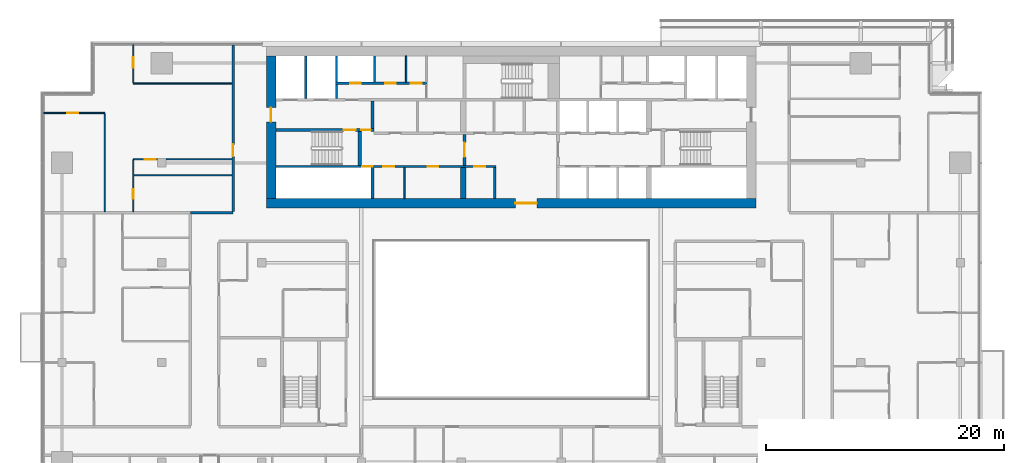
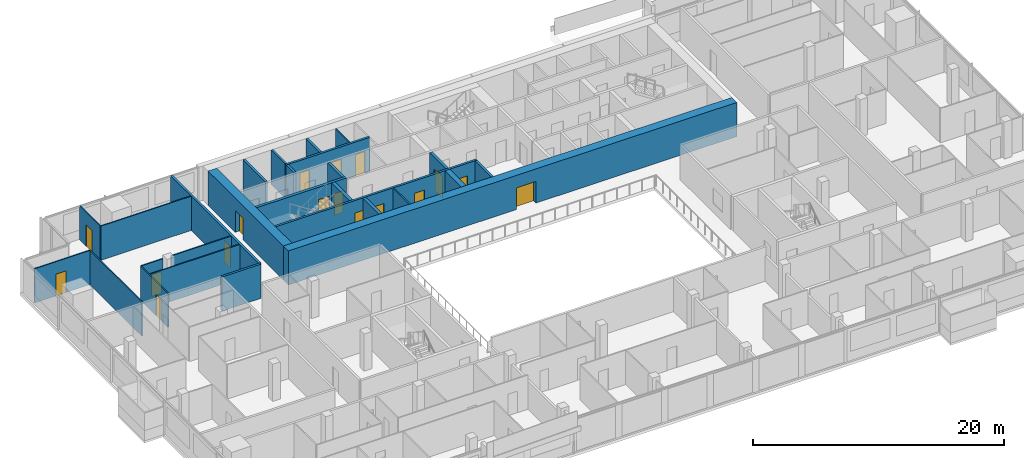
# One storey, part 20 of 30: 27 walls, 17 doors, 17 openings.
"""IFC4 building model written with IfcOpenShell, lengths in metres."""

from ifc_helpers import new_model, si_unit, direction, frame, frame_2d, origin, place, context, subcontext, project, spatial, rectangle, extrude, material, layer, layer_set, type_object, element, fill, save


model = new_model("IFC4")

# Units and contexts
model_context = context("Model", 3, precision=1e-05, world=origin(), true_north=direction((0.0, 1.0)))
body_context = subcontext(model_context, "Body", "Model", "MODEL_VIEW")
ifc_project = project(units=[si_unit("LENGTHUNIT", "METRE"), si_unit("AREAUNIT", "SQUARE_METRE"), si_unit("VOLUMEUNIT", "CUBIC_METRE"), si_unit("PLANEANGLEUNIT", "RADIAN"), si_unit("MASSUNIT", "GRAM", prefix="KILO")], contexts=[model_context])

# Site, building, storey
site_placement = place(None, origin())
site = spatial("IfcSite", under=ifc_project, at=site_placement, CompositionType="ELEMENT")
building_placement = place(site_placement, origin())
building = spatial("IfcBuilding", under=site, at=building_placement, Name="Saffron Gate Tower", CompositionType="ELEMENT")
storey_placement = place(building_placement, frame((0.0, 0.0, 169.050048828125)))
storey = spatial("IfcBuildingStorey", under=building, at=storey_placement, Name="L41", CompositionType="ELEMENT", Elevation=169.050048828125)

# Wall
ifc_material_1 = material(Name="Gypsum board partition on steel studs", Category="steel")
ifc_layer_1 = layer(ifc_material_1, 0.199951171875)
ifc_layer_set_1 = layer_set([ifc_layer_1], Name="CW10 Core partition 200")
wall_type_1 = type_object("IfcWallType", Name="CW10 Core partition 200", PredefinedType="PARTITIONING", material=ifc_layer_set_1)
wall_1_placement = place(storey_placement, frame((86.199951171875, 62.39990234375, 0.0), z_axis=(0.0, 0.0, 1.0), x_axis=(0.0, 1.0, 0.0)))
element("IfcWall", 1, at=wall_1_placement, inside=storey, type_object=wall_type_1, Name="Wall CW10-L41-8", PredefinedType="PARTITIONING", context=body_context, shape_type="SweptSolid", body=[
    extrude(rectangle(XDim=2.60009765625, YDim=0.199951171875, at=frame_2d((1.300048828125, 0.0))), origin(), (0.0, 0.0, 1.0), 3.320068359375),
])

# Wall, opening, door
ifc_material_2 = material(Name="Concrete C60", Category="concrete")
ifc_layer_2 = layer(ifc_material_2, 0.800048828125)
ifc_layer_set_2 = layer_set([ifc_layer_2], Name="CW13 RC core wall 800 C60")
wall_type_2 = type_object("IfcWallType", Name="CW13 RC core wall 800 C60", PredefinedType="SOLIDWALL", material=ifc_layer_set_2)
wall_2_placement = place(storey_placement, frame((67.0, 62.0, 0.0), z_axis=(0.0, 0.0, 1.0), x_axis=(1.0, 0.0, 0.0)))
wall_2 = element("IfcWall", 2, at=wall_2_placement, inside=storey, type_object=wall_type_2, Name="Wall CW13-L41-1", PredefinedType="SOLIDWALL", context=body_context, shape_type="SweptSolid", body=[
    extrude(rectangle(XDim=41.199951171875, YDim=0.800048828125, at=frame_2d((20.60009765625, 0.0))), origin(), (0.0, 0.0, 1.0), 3.320068359375),
])
opening_1_placement = place(wall_2_placement, frame((20.949951171875, 0.0, 0.0)))
opening_1 = element("IfcOpeningElement", 3, at=opening_1_placement, cuts=wall_2, Name="Opening CR-09", PredefinedType="OPENING", context=body_context, shape_type="SweptSolid", body=[
    extrude(rectangle(XDim=1.800048828125, YDim=2.10009765625, at=frame_2d((0.89990234375, 1.050048828125))), frame((0.0, 0.41015625, 0.0), z_axis=(0.0, -1.0, 0.0), x_axis=(1.0, 0.0, 0.0)), (0.0, 0.0, 1.0), 0.820068359375),
])
ifc_material_3 = material(Name="Steel fire door set", Category="steel")
door_type_1 = type_object("IfcDoorType", Name="CD1 Core entrance door 1800x2100 EI 120", OperationType="NOTDEFINED", PredefinedType="DOOR", material=ifc_material_3)
door_1_placement = place(opening_1_placement, origin())
door_1 = element("IfcDoor", 4, at=door_1_placement, inside=storey, type_object=door_type_1, Name="DOOR CR-09", OperationType="DOUBLE_DOOR_SINGLE_SWING", OverallHeight=2.10009765625, OverallWidth=1.800048828125, PredefinedType="DOOR", context=body_context, shape_type="SweptSolid", body=[
    extrude(rectangle(XDim=1.800048828125, YDim=2.10009765625, at=frame_2d((0.89990234375, 1.050048828125))), frame((0.0, 0.02490234375, 0.0), z_axis=(0.0, -1.0, 0.0), x_axis=(1.0, 0.0, 0.0)), (0.0, 0.0, 1.0), 0.050048828125),
])
fill(opening_1, door_1)

wall_3_placement = place(storey_placement, frame((67.39990234375, 62.39990234375, 0.0), z_axis=(0.0, 0.0, 1.0), x_axis=(0.0, 1.0, 0.0)))
wall_3 = element("IfcWall", 5, at=wall_3_placement, inside=storey, type_object=wall_type_2, Name="Wall CW13-L41-3", PredefinedType="SOLIDWALL", context=body_context, shape_type="SweptSolid", body=[
    extrude(rectangle(XDim=12.0, YDim=0.800048828125, at=frame_2d((6.0, 0.0))), origin(), (0.0, 0.0, 1.0), 3.320068359375),
])
opening_2_placement = place(wall_3_placement, frame((6.449951171875, 0.0, 0.0)))
opening_2 = element("IfcOpeningElement", 6, at=opening_2_placement, cuts=wall_3, Name="Opening CR-10", PredefinedType="OPENING", context=body_context, shape_type="SweptSolid", body=[
    extrude(rectangle(XDim=1.199951171875, YDim=2.10009765625, at=frame_2d((0.60009765625, 1.050048828125))), frame((0.0, 0.41015625, 0.0), z_axis=(0.0, -1.0, 0.0), x_axis=(1.0, 0.0, 0.0)), (0.0, 0.0, 1.0), 0.820068359375),
])
door_type_2 = type_object("IfcDoorType", Name="CD7 Core entrance door 1200x2100 EI 120", OperationType="NOTDEFINED", PredefinedType="DOOR", material=ifc_material_3)
door_2_placement = place(opening_2_placement, origin())
door_2 = element("IfcDoor", 7, at=door_2_placement, inside=storey, type_object=door_type_2, Name="DOOR CR-10", OperationType="SINGLE_SWING_LEFT", OverallHeight=2.10009765625, OverallWidth=1.199951171875, PredefinedType="DOOR", context=body_context, shape_type="SweptSolid", body=[
    extrude(rectangle(XDim=1.199951171875, YDim=2.10009765625, at=frame_2d((0.60009765625, 1.050048828125))), frame((0.0, 0.02490234375, 0.0), z_axis=(0.0, -1.0, 0.0), x_axis=(1.0, 0.0, 0.0)), (0.0, 0.0, 1.0), 0.050048828125),
])
fill(opening_2, door_2)

# Wall
ifc_layer_3 = layer(ifc_material_2, 0.25)
ifc_layer_set_3 = layer_set([ifc_layer_3], Name="CW14 RC core wall 250 C60")
wall_type_3 = type_object("IfcWallType", Name="CW14 RC core wall 250 C60", PredefinedType="SOLIDWALL", material=ifc_layer_set_3)
wall_4_placement = place(storey_placement, frame((75.925048828125, 62.39990234375, 0.0), z_axis=(0.0, 0.0, 1.0), x_axis=(0.0, 1.0, 0.0)))
element("IfcWall", 8, at=wall_4_placement, inside=storey, type_object=wall_type_3, Name="Wall CW14-L41-5", PredefinedType="SOLIDWALL", context=body_context, shape_type="SweptSolid", body=[
    extrude(rectangle(XDim=2.60009765625, YDim=0.25, at=frame_2d((1.300048828125, 0.0))), origin(), (0.0, 0.0, 1.0), 3.320068359375),
])

# Wall, opening, door
wall_5_placement = place(storey_placement, frame((83.675048828125, 65.199951171875, 0.0), z_axis=(0.0, 0.0, 1.0), x_axis=(0.0, 1.0, 0.0)))
wall_5 = element("IfcWall", 9, at=wall_5_placement, inside=storey, type_object=wall_type_3, Name="Wall CW14-L41-16", PredefinedType="SOLIDWALL", context=body_context, shape_type="SweptSolid", body=[
    extrude(rectangle(XDim=2.60009765625, YDim=0.25, at=frame_2d((1.300048828125, 0.0))), origin(), (0.0, 0.0, 1.0), 3.320068359375),
])
opening_3_placement = place(wall_5_placement, frame((0.699951171875, 0.0, 0.0)))
opening_3 = element("IfcOpeningElement", 10, at=opening_3_placement, cuts=wall_5, Name="Opening CR-07", PredefinedType="OPENING", context=body_context, shape_type="SweptSolid", body=[
    extrude(rectangle(XDim=1.199951171875, YDim=2.10009765625, at=frame_2d((0.60009765625, 1.050048828125))), frame((0.0, 0.135009765625, 0.0), z_axis=(0.0, -1.0, 0.0), x_axis=(1.0, 0.0, 0.0)), (0.0, 0.0, 1.0), 0.27001953125),
])
door_type_3 = type_object("IfcDoorType", Name="CD3 Lobby door 1200x2100 EI 120", OperationType="NOTDEFINED", PredefinedType="DOOR", material=ifc_material_3)
door_3_placement = place(opening_3_placement, origin())
door_3 = element("IfcDoor", 11, at=door_3_placement, inside=storey, type_object=door_type_3, Name="DOOR CR-07", OperationType="SINGLE_SWING_RIGHT", OverallHeight=2.10009765625, OverallWidth=1.199951171875, PredefinedType="DOOR", context=body_context, shape_type="SweptSolid", body=[
    extrude(rectangle(XDim=1.199951171875, YDim=2.10009765625, at=frame_2d((0.60009765625, 1.050048828125))), frame((0.0, 0.02490234375, 0.0), z_axis=(0.0, -1.0, 0.0), x_axis=(1.0, 0.0, 0.0)), (0.0, 0.0, 1.0), 0.050048828125),
])
fill(opening_3, door_3)

# Wall, openings, doors
wall_6_placement = place(storey_placement, frame((67.800048828125, 68.175048828125, 0.0), z_axis=(0.0, 0.0, 1.0), x_axis=(1.0, 0.0, 0.0)))
wall_6 = element("IfcWall", 12, at=wall_6_placement, inside=storey, type_object=wall_type_3, Name="Wall CW14-L41-28", PredefinedType="SOLIDWALL", context=body_context, shape_type="SweptSolid", body=[
    extrude(rectangle(XDim=8.25, YDim=0.25, at=frame_2d((4.125, 0.0))), origin(), (0.0, 0.0, 1.0), 3.320068359375),
])
opening_4_placement = place(wall_6_placement, frame((5.699951171875, 0.0, 0.0)))
opening_4 = element("IfcOpeningElement", 13, at=opening_4_placement, cuts=wall_6, Name="Opening CR-15", PredefinedType="OPENING", context=body_context, shape_type="SweptSolid", body=[
    extrude(rectangle(XDim=1.0, YDim=2.10009765625, at=frame_2d((0.5, 1.050048828125))), frame((0.0, 0.135009765625, 0.0), z_axis=(0.0, -1.0, 0.0), x_axis=(1.0, 0.0, 0.0)), (0.0, 0.0, 1.0), 0.27001953125),
])
opening_5_placement = place(wall_6_placement, frame((7.199951171875, 0.0, 0.0)))
opening_5 = element("IfcOpeningElement", 14, at=opening_5_placement, cuts=wall_6, Name="Opening CR-06", PredefinedType="OPENING", context=body_context, shape_type="SweptSolid", body=[
    extrude(rectangle(XDim=0.800048828125, YDim=2.10009765625, at=frame_2d((0.39990234375, 1.050048828125))), frame((0.0, 0.135009765625, 0.0), z_axis=(0.0, -1.0, 0.0), x_axis=(1.0, 0.0, 0.0)), (0.0, 0.0, 1.0), 0.27001953125),
])
door_type_4 = type_object("IfcDoorType", Name="CD5 Stair door 1000x2100 EI 120", OperationType="NOTDEFINED", PredefinedType="DOOR", material=ifc_material_3)
door_4_placement = place(opening_4_placement, origin())
door_4 = element("IfcDoor", 15, at=door_4_placement, inside=storey, type_object=door_type_4, Name="DOOR CR-15", OperationType="SINGLE_SWING_RIGHT", OverallHeight=2.10009765625, OverallWidth=1.0, PredefinedType="DOOR", context=body_context, shape_type="SweptSolid", body=[
    extrude(rectangle(XDim=1.0, YDim=2.10009765625, at=frame_2d((0.5, 1.050048828125))), frame((0.0, 0.02490234375, 0.0), z_axis=(0.0, -1.0, 0.0), x_axis=(1.0, 0.0, 0.0)), (0.0, 0.0, 1.0), 0.050048828125),
])
fill(opening_4, door_4)
door_type_5 = type_object("IfcDoorType", Name="CD6 Lobby door 800x2100 EI 120", OperationType="NOTDEFINED", PredefinedType="DOOR", material=ifc_material_3)
door_5_placement = place(opening_5_placement, origin())
door_5 = element("IfcDoor", 16, at=door_5_placement, inside=storey, type_object=door_type_5, Name="DOOR CR-06", OperationType="SINGLE_SWING_LEFT", OverallHeight=2.10009765625, OverallWidth=0.800048828125, PredefinedType="DOOR", context=body_context, shape_type="SweptSolid", body=[
    extrude(rectangle(XDim=0.800048828125, YDim=2.10009765625, at=frame_2d((0.39990234375, 1.050048828125))), frame((0.0, 0.02490234375, 0.0), z_axis=(0.0, -1.0, 0.0), x_axis=(1.0, 0.0, 0.0)), (0.0, 0.0, 1.0), 0.050048828125),
])
fill(opening_5, door_5)

# Wall
wall_7_placement = place(storey_placement, frame((75.925048828125, 68.300048828125, 0.0), z_axis=(0.0, 0.0, 1.0), x_axis=(0.0, 1.0, 0.0)))
element("IfcWall", 17, at=wall_7_placement, inside=storey, type_object=wall_type_3, Name="Wall CW14-L41-30", PredefinedType="SOLIDWALL", context=body_context, shape_type="SweptSolid", body=[
    extrude(rectangle(XDim=2.300048828125, YDim=0.25, at=frame_2d((1.14990234375, 0.0))), origin(), (0.0, 0.0, 1.0), 3.320068359375),
])

# Wall, openings, doors
ifc_layer_4 = layer(ifc_material_2, 0.199951171875)
ifc_layer_set_4 = layer_set([ifc_layer_4], Name="CW15 RC core wall 200 C60")
wall_type_4 = type_object("IfcWallType", Name="CW15 RC core wall 200 C60", PredefinedType="SOLIDWALL", material=ifc_layer_set_4)
wall_8_placement = place(storey_placement, frame((67.800048828125, 65.10009765625, 0.0), z_axis=(0.0, 0.0, 1.0), x_axis=(1.0, 0.0, 0.0)))
wall_8 = element("IfcWall", 18, at=wall_8_placement, inside=storey, type_object=wall_type_4, Name="Wall CW15-L41-13", PredefinedType="SOLIDWALL", context=body_context, shape_type="SweptSolid", body=[
    extrude(rectangle(XDim=18.5, YDim=0.199951171875, at=frame_2d((9.25, 0.0))), origin(), (0.0, 0.0, 1.0), 3.320068359375),
])
opening_6_placement = place(wall_8_placement, frame((7.27001953125, 0.0, 0.0)))
opening_6 = element("IfcOpeningElement", 19, at=opening_6_placement, cuts=wall_8, Name="Opening CR-49", PredefinedType="OPENING", context=body_context, shape_type="SweptSolid", body=[
    extrude(rectangle(XDim=0.89990234375, YDim=2.10009765625, at=frame_2d((0.449951171875, 1.050048828125))), frame((0.0, 0.10986328125, 0.0), z_axis=(0.0, -1.0, 0.0), x_axis=(1.0, 0.0, 0.0)), (0.0, 0.0, 1.0), 0.219970703125),
])
opening_7_placement = place(wall_8_placement, frame((9.050048828125, 0.0, 0.0)))
opening_7 = element("IfcOpeningElement", 20, at=opening_7_placement, cuts=wall_8, Name="Opening CR-64", PredefinedType="OPENING", context=body_context, shape_type="SweptSolid", body=[
    extrude(rectangle(XDim=0.89990234375, YDim=2.10009765625, at=frame_2d((0.449951171875, 1.050048828125))), frame((0.0, 0.10986328125, 0.0), z_axis=(0.0, -1.0, 0.0), x_axis=(1.0, 0.0, 0.0)), (0.0, 0.0, 1.0), 0.219970703125),
])
opening_8_placement = place(wall_8_placement, frame((12.760009765625, 0.0, 0.0)))
opening_8 = element("IfcOpeningElement", 21, at=opening_8_placement, cuts=wall_8, Name="Opening CR-65", PredefinedType="OPENING", context=body_context, shape_type="SweptSolid", body=[
    extrude(rectangle(XDim=0.89990234375, YDim=2.10009765625, at=frame_2d((0.449951171875, 1.050048828125))), frame((0.0, 0.10986328125, 0.0), z_axis=(0.0, -1.0, 0.0), x_axis=(1.0, 0.0, 0.0)), (0.0, 0.0, 1.0), 0.219970703125),
])
opening_9_placement = place(wall_8_placement, frame((16.699951171875, 0.0, 0.0)))
opening_9 = element("IfcOpeningElement", 22, at=opening_9_placement, cuts=wall_8, Name="Opening CR-69", PredefinedType="OPENING", context=body_context, shape_type="SweptSolid", body=[
    extrude(rectangle(XDim=0.89990234375, YDim=2.10009765625, at=frame_2d((0.449951171875, 1.050048828125))), frame((0.0, 0.10986328125, 0.0), z_axis=(0.0, -1.0, 0.0), x_axis=(1.0, 0.0, 0.0)), (0.0, 0.0, 1.0), 0.219970703125),
])
door_type_6 = type_object("IfcDoorType", Name="CD2 Riser door 900x2100 EI 60", OperationType="NOTDEFINED", PredefinedType="DOOR", material=ifc_material_3)
door_6_placement = place(opening_6_placement, origin())
door_6 = element("IfcDoor", 23, at=door_6_placement, inside=storey, type_object=door_type_6, Name="DOOR CR-49", OperationType="SINGLE_SWING_LEFT", OverallHeight=2.10009765625, OverallWidth=0.89990234375, PredefinedType="DOOR", context=body_context, shape_type="SweptSolid", body=[
    extrude(rectangle(XDim=0.89990234375, YDim=2.10009765625, at=frame_2d((0.449951171875, 1.050048828125))), frame((0.0, 0.02490234375, 0.0), z_axis=(0.0, -1.0, 0.0), x_axis=(1.0, 0.0, 0.0)), (0.0, 0.0, 1.0), 0.050048828125),
])
fill(opening_6, door_6)
door_type_7 = type_object("IfcDoorType", Name="CD9 Room door 900x2100 EI 60", OperationType="NOTDEFINED", PredefinedType="DOOR", material=ifc_material_3)
door_7_placement = place(opening_7_placement, origin())
door_7 = element("IfcDoor", 24, at=door_7_placement, inside=storey, type_object=door_type_7, Name="DOOR CR-64", OperationType="SINGLE_SWING_RIGHT", OverallHeight=2.10009765625, OverallWidth=0.89990234375, PredefinedType="DOOR", context=body_context, shape_type="SweptSolid", body=[
    extrude(rectangle(XDim=0.89990234375, YDim=2.10009765625, at=frame_2d((0.449951171875, 1.050048828125))), frame((0.0, 0.02490234375, 0.0), z_axis=(0.0, -1.0, 0.0), x_axis=(1.0, 0.0, 0.0)), (0.0, 0.0, 1.0), 0.050048828125),
])
fill(opening_7, door_7)
door_8_placement = place(opening_8_placement, origin())
door_8 = element("IfcDoor", 25, at=door_8_placement, inside=storey, type_object=door_type_7, Name="DOOR CR-65", OperationType="SINGLE_SWING_RIGHT", OverallHeight=2.10009765625, OverallWidth=0.89990234375, PredefinedType="DOOR", context=body_context, shape_type="SweptSolid", body=[
    extrude(rectangle(XDim=0.89990234375, YDim=2.10009765625, at=frame_2d((0.449951171875, 1.050048828125))), frame((0.0, 0.02490234375, 0.0), z_axis=(0.0, -1.0, 0.0), x_axis=(1.0, 0.0, 0.0)), (0.0, 0.0, 1.0), 0.050048828125),
])
fill(opening_8, door_8)
door_9_placement = place(opening_9_placement, origin())
door_9 = element("IfcDoor", 26, at=door_9_placement, inside=storey, type_object=door_type_7, Name="DOOR CR-69", OperationType="SINGLE_SWING_RIGHT", OverallHeight=2.10009765625, OverallWidth=0.89990234375, PredefinedType="DOOR", context=body_context, shape_type="SweptSolid", body=[
    extrude(rectangle(XDim=0.89990234375, YDim=2.10009765625, at=frame_2d((0.449951171875, 1.050048828125))), frame((0.0, 0.02490234375, 0.0), z_axis=(0.0, -1.0, 0.0), x_axis=(1.0, 0.0, 0.0)), (0.0, 0.0, 1.0), 0.050048828125),
])
fill(opening_9, door_9)

# Walls
wall_9_placement = place(storey_placement, frame((70.300048828125, 70.800048828125, 0.0), z_axis=(0.0, 0.0, 1.0), x_axis=(0.0, 1.0, 0.0)))
element("IfcWall", 27, at=wall_9_placement, inside=storey, type_object=wall_type_4, Name="Wall CW15-L41-33", PredefinedType="SOLIDWALL", context=body_context, shape_type="SweptSolid", body=[
    extrude(rectangle(XDim=3.599853515625, YDim=0.199951171875, at=frame_2d((1.7998046875, 0.0))), origin(), (0.0, 0.0, 1.0), 3.320068359375),
])
wall_10_placement = place(storey_placement, frame((72.89990234375, 70.800048828125, 0.0), z_axis=(0.0, 0.0, 1.0), x_axis=(0.0, 1.0, 0.0)))
element("IfcWall", 28, at=wall_10_placement, inside=storey, type_object=wall_type_4, Name="Wall CW15-L41-34", PredefinedType="SOLIDWALL", context=body_context, shape_type="SweptSolid", body=[
    extrude(rectangle(XDim=1.199951171875, YDim=0.199951171875, at=frame_2d((0.60009765625, 0.0))), origin(), (0.0, 0.0, 1.0), 3.320068359375),
])

# Wall, openings, doors
wall_11_placement = place(storey_placement, frame((72.800048828125, 72.10009765625, 0.0), z_axis=(0.0, 0.0, 1.0), x_axis=(1.0, 0.0, 0.0)))
wall_11 = element("IfcWall", 29, at=wall_11_placement, inside=storey, type_object=wall_type_4, Name="Wall CW15-L41-41", PredefinedType="SOLIDWALL", context=body_context, shape_type="SweptSolid", body=[
    extrude(rectangle(XDim=7.719970703125, YDim=0.199951171875, at=frame_2d((3.85986328125, 0.0))), origin(), (0.0, 0.0, 1.0), 3.320068359375),
])
opening_10_placement = place(wall_11_placement, frame((1.25, 0.0, 0.0)))
opening_10 = element("IfcOpeningElement", 30, at=opening_10_placement, cuts=wall_11, Name="Opening CR-71", PredefinedType="OPENING", context=body_context, shape_type="SweptSolid", body=[
    extrude(rectangle(XDim=0.89990234375, YDim=2.10009765625, at=frame_2d((0.449951171875, 1.050048828125))), frame((0.0, 0.10986328125, 0.0), z_axis=(0.0, -1.0, 0.0), x_axis=(1.0, 0.0, 0.0)), (0.0, 0.0, 1.0), 0.219970703125),
])
opening_11_placement = place(wall_11_placement, frame((4.199951171875, 0.0, 0.0)))
opening_11 = element("IfcOpeningElement", 31, at=opening_11_placement, cuts=wall_11, Name="Opening CR-55", PredefinedType="OPENING", context=body_context, shape_type="SweptSolid", body=[
    extrude(rectangle(XDim=0.89990234375, YDim=2.10009765625, at=frame_2d((0.449951171875, 1.050048828125))), frame((0.0, 0.10986328125, 0.0), z_axis=(0.0, -1.0, 0.0), x_axis=(1.0, 0.0, 0.0)), (0.0, 0.0, 1.0), 0.219970703125),
])
opening_12_placement = place(wall_11_placement, frame((6.360107421875, 0.0, 0.0)))
opening_12 = element("IfcOpeningElement", 32, at=opening_12_placement, cuts=wall_11, Name="Opening CR-58", PredefinedType="OPENING", context=body_context, shape_type="SweptSolid", body=[
    extrude(rectangle(XDim=0.89990234375, YDim=2.10009765625, at=frame_2d((0.449951171875, 1.050048828125))), frame((0.0, 0.10986328125, 0.0), z_axis=(0.0, -1.0, 0.0), x_axis=(1.0, 0.0, 0.0)), (0.0, 0.0, 1.0), 0.219970703125),
])
door_10_placement = place(opening_10_placement, origin())
door_10 = element("IfcDoor", 33, at=door_10_placement, inside=storey, type_object=door_type_6, Name="DOOR CR-71", OperationType="SINGLE_SWING_LEFT", OverallHeight=2.10009765625, OverallWidth=0.89990234375, PredefinedType="DOOR", context=body_context, shape_type="SweptSolid", body=[
    extrude(rectangle(XDim=0.89990234375, YDim=2.10009765625, at=frame_2d((0.449951171875, 1.050048828125))), frame((0.0, 0.02490234375, 0.0), z_axis=(0.0, -1.0, 0.0), x_axis=(1.0, 0.0, 0.0)), (0.0, 0.0, 1.0), 0.050048828125),
])
fill(opening_10, door_10)
door_11_placement = place(opening_11_placement, origin())
door_11 = element("IfcDoor", 34, at=door_11_placement, inside=storey, type_object=door_type_7, Name="DOOR CR-55", OperationType="SINGLE_SWING_LEFT", OverallHeight=2.10009765625, OverallWidth=0.89990234375, PredefinedType="DOOR", context=body_context, shape_type="SweptSolid", body=[
    extrude(rectangle(XDim=0.89990234375, YDim=2.10009765625, at=frame_2d((0.449951171875, 1.050048828125))), frame((0.0, 0.02490234375, 0.0), z_axis=(0.0, -1.0, 0.0), x_axis=(1.0, 0.0, 0.0)), (0.0, 0.0, 1.0), 0.050048828125),
])
fill(opening_11, door_11)
door_12_placement = place(opening_12_placement, origin())
door_12 = element("IfcDoor", 35, at=door_12_placement, inside=storey, type_object=door_type_7, Name="DOOR CR-58", OperationType="SINGLE_SWING_LEFT", OverallHeight=2.10009765625, OverallWidth=0.89990234375, PredefinedType="DOOR", context=body_context, shape_type="SweptSolid", body=[
    extrude(rectangle(XDim=0.89990234375, YDim=2.10009765625, at=frame_2d((0.449951171875, 1.050048828125))), frame((0.0, 0.02490234375, 0.0), z_axis=(0.0, -1.0, 0.0), x_axis=(1.0, 0.0, 0.0)), (0.0, 0.0, 1.0), 0.050048828125),
])
fill(opening_12, door_12)

# Walls
for number, where, z_axis, x_axis, name in (
    (36, (72.89990234375, 72.199951171875, 0.0), (0.0, 0.0, 1.0), (0.0, 1.0, 0.0), "Wall CW15-L41-43"),
    (37, (76.10009765625, 72.199951171875, 0.0), (0.0, 0.0, 1.0), (0.0, 1.0, 0.0), "Wall CW15-L41-44"),
):
    element("IfcWall", number, at=place(storey_placement, frame(where, z_axis=z_axis, x_axis=x_axis)), inside=storey, type_object=wall_type_4, Name=name, PredefinedType="SOLIDWALL", context=body_context, shape_type="SweptSolid", body=[
        extrude(rectangle(XDim=2.199951171875, YDim=0.199951171875, at=frame_2d((1.10009765625, 0.0))), origin(), (0.0, 0.0, 1.0), 3.320068359375),
    ])
ifc_layer_5 = layer(ifc_material_2, 0.449951171875)
ifc_layer_set_5 = layer_set([ifc_layer_5], Name="CW16 RC core wall 450 C60")
wall_type_5 = type_object("IfcWallType", Name="CW16 RC core wall 450 C60", PredefinedType="SOLIDWALL", material=ifc_layer_set_5)
wall_12_placement = place(storey_placement, frame((83.574951171875, 62.39990234375, 0.0), z_axis=(0.0, 0.0, 1.0), x_axis=(0.0, 1.0, 0.0)))
element("IfcWall", 38, at=wall_12_placement, inside=storey, type_object=wall_type_5, Name="Wall CW16-L41-7", PredefinedType="SOLIDWALL", context=body_context, shape_type="SweptSolid", body=[
    extrude(rectangle(XDim=2.60009765625, YDim=0.449951171875, at=frame_2d((1.300048828125, 0.0))), origin(), (0.0, 0.0, 1.0), 3.320068359375),
])
ifc_layer_6 = layer(ifc_material_2, 0.300048828125)
ifc_layer_set_6 = layer_set([ifc_layer_6], Name="CW17 RC core wall 300 C60")
wall_type_6 = type_object("IfcWallType", Name="CW17 RC core wall 300 C60", PredefinedType="SOLIDWALL", material=ifc_layer_set_6)
wall_13_placement = place(storey_placement, frame((74.85009765625, 65.199951171875, 0.0), z_axis=(0.0, 0.0, 1.0), x_axis=(0.0, 1.0, 0.0)))
element("IfcWall", 39, at=wall_13_placement, inside=storey, type_object=wall_type_6, Name="Wall CW17-L41-15", PredefinedType="SOLIDWALL", context=body_context, shape_type="SweptSolid", body=[
    extrude(rectangle(XDim=2.85009765625, YDim=0.300048828125, at=frame_2d((1.425048828125, 0.0))), origin(), (0.0, 0.0, 1.0), 3.320068359375),
])
ifc_layer_7 = layer(ifc_material_1, 0.1201171875)
ifc_layer_set_7 = layer_set([ifc_layer_7], Name="CW8 Core partition 120")
wall_type_7 = type_object("IfcWallType", Name="CW8 Core partition 120", PredefinedType="PARTITIONING", material=ifc_layer_set_7)
wall_14_placement = place(storey_placement, frame((78.610107421875, 62.39990234375, 0.0), z_axis=(0.0, 0.0, 1.0), x_axis=(0.0, 1.0, 0.0)))
element("IfcWall", 40, at=wall_14_placement, inside=storey, type_object=wall_type_7, Name="Wall CW8-L41-6", PredefinedType="PARTITIONING", context=body_context, shape_type="SweptSolid", body=[
    extrude(rectangle(XDim=2.60009765625, YDim=0.1201171875, at=frame_2d((1.300048828125, 0.0))), origin(), (0.0, 0.0, 1.0), 3.320068359375),
])
wall_15_placement = place(storey_placement, frame((78.760009765625, 72.199951171875, 0.0), z_axis=(0.0, 0.0, 1.0), x_axis=(0.0, 1.0, 0.0)))
element("IfcWall", 41, at=wall_15_placement, inside=storey, type_object=wall_type_7, Name="Wall CW8-L41-45", PredefinedType="PARTITIONING", context=body_context, shape_type="SweptSolid", body=[
    extrude(rectangle(XDim=2.199951171875, YDim=0.1201171875, at=frame_2d((1.10009765625, 0.0))), origin(), (0.0, 0.0, 1.0), 3.320068359375),
])
ifc_material_4 = material(Name="Plasterboard on steel studs", Category="steel")
ifc_layer_8 = layer(ifc_material_4, 0.10009765625)
ifc_layer_set_8 = layer_set([ifc_layer_8], Name="PW1 Partition 100")
wall_type_8 = type_object("IfcWallType", Name="PW1 Partition 100", PredefinedType="PARTITIONING", material=ifc_layer_set_8)
wall_16_placement = place(storey_placement, frame((55.85009765625, 64.354736328125, 0.0), z_axis=(0.0, 0.0, 1.0), x_axis=(1.0, 0.0, 0.0)))
element("IfcWall", 42, at=wall_16_placement, inside=storey, type_object=wall_type_8, Name="Partition C3-45", PredefinedType="PARTITIONING", context=body_context, shape_type="SweptSolid", body=[
    extrude(rectangle(XDim=8.25, YDim=0.10009765625, at=frame_2d((4.125, 0.0))), origin(), (0.0, 0.0, 1.0), 3.320068359375),
])

# Wall, opening, door
wall_17_placement = place(storey_placement, frame((57.830078125, 65.699951171875, 0.0), z_axis=(0.0, 0.0, 1.0), x_axis=(-1.0, 0.0, 0.0)))
wall_17 = element("IfcWall", 43, at=wall_17_placement, inside=storey, type_object=wall_type_8, Name="Partition C3-48", PredefinedType="PARTITIONING", context=body_context, shape_type="SweptSolid", body=[
    extrude(rectangle(XDim=2.030029296875, YDim=0.10009765625, at=frame_2d((1.01513671875, 0.0))), origin(), (0.0, 0.0, 1.0), 3.320068359375),
])
opening_13_placement = place(wall_17_placement, frame((0.14990234375, 0.0, 0.0)))
opening_13 = element("IfcOpeningElement", 44, at=opening_13_placement, cuts=wall_17, Name="Opening C3-31", PredefinedType="OPENING", context=body_context, shape_type="SweptSolid", body=[
    extrude(rectangle(XDim=0.89990234375, YDim=2.10009765625, at=frame_2d((0.449951171875, 1.050048828125))), frame((0.0, 0.06005859375, 0.0), z_axis=(0.0, -1.0, 0.0), x_axis=(1.0, 0.0, 0.0)), (0.0, 0.0, 1.0), 0.1201171875),
])
ifc_material_5 = material(Name="Timber door set", Category="wood")
door_type_8 = type_object("IfcDoorType", Name="RD1 Room door 900x2100", OperationType="NOTDEFINED", PredefinedType="DOOR", material=ifc_material_5)
door_13_placement = place(opening_13_placement, origin())
door_13 = element("IfcDoor", 45, at=door_13_placement, inside=storey, type_object=door_type_8, Name="Door C3-31", OperationType="SINGLE_SWING_LEFT", OverallHeight=2.10009765625, OverallWidth=0.89990234375, PredefinedType="DOOR", context=body_context, shape_type="SweptSolid", body=[
    extrude(rectangle(XDim=0.89990234375, YDim=2.10009765625, at=frame_2d((0.449951171875, 1.050048828125))), frame((0.0, 0.02490234375, 0.0), z_axis=(0.0, -1.0, 0.0), x_axis=(1.0, 0.0, 0.0)), (0.0, 0.0, 1.0), 0.050048828125),
])
fill(opening_13, door_13)

# Wall
wall_18_placement = place(storey_placement, frame((58.570068359375, 65.699951171875, 0.0), z_axis=(0.0, 0.0, 1.0), x_axis=(1.0, 0.0, 0.0)))
element("IfcWall", 46, at=wall_18_placement, inside=storey, type_object=wall_type_8, Name="Partition C3-49", PredefinedType="PARTITIONING", context=body_context, shape_type="SweptSolid", body=[
    extrude(rectangle(XDim=5.530029296875, YDim=0.10009765625, at=frame_2d((2.76513671875, 0.0))), origin(), (0.0, 0.0, 1.0), 3.320068359375),
])

# Wall, opening, door
wall_19_placement = place(storey_placement, frame((53.39990234375, 69.60009765625, 0.0), z_axis=(0.0, 0.0, 1.0), x_axis=(-1.0, 0.0, 0.0)))
wall_19 = element("IfcWall", 47, at=wall_19_placement, inside=storey, type_object=wall_type_8, Name="Partition C3-51", PredefinedType="PARTITIONING", context=body_context, shape_type="SweptSolid", body=[
    extrude(rectangle(XDim=5.119873046875, YDim=0.10009765625, at=frame_2d((2.56005859375, 0.0))), origin(), (0.0, 0.0, 1.0), 3.320068359375),
])
opening_14_placement = place(wall_19_placement, frame((2.25, 0.0, 0.0)))
opening_14 = element("IfcOpeningElement", 48, at=opening_14_placement, cuts=wall_19, Name="Opening C3-29", PredefinedType="OPENING", context=body_context, shape_type="SweptSolid", body=[
    extrude(rectangle(XDim=0.89990234375, YDim=2.10009765625, at=frame_2d((0.449951171875, 1.050048828125))), frame((0.0, 0.06005859375, 0.0), z_axis=(0.0, -1.0, 0.0), x_axis=(1.0, 0.0, 0.0)), (0.0, 0.0, 1.0), 0.1201171875),
])
door_14_placement = place(opening_14_placement, origin())
door_14 = element("IfcDoor", 49, at=door_14_placement, inside=storey, type_object=door_type_8, Name="Door C3-29", OperationType="SINGLE_SWING_RIGHT", OverallHeight=2.10009765625, OverallWidth=0.89990234375, PredefinedType="DOOR", context=body_context, shape_type="SweptSolid", body=[
    extrude(rectangle(XDim=0.89990234375, YDim=2.10009765625, at=frame_2d((0.449951171875, 1.050048828125))), frame((0.0, 0.02490234375, 0.0), z_axis=(0.0, -1.0, 0.0), x_axis=(1.0, 0.0, 0.0)), (0.0, 0.0, 1.0), 0.050048828125),
])
fill(opening_14, door_14)

# Walls
wall_20_placement = place(storey_placement, frame((55.800048828125, 72.0810546875, 0.0), z_axis=(0.0, 0.0, 1.0), x_axis=(1.0, 0.0, 0.0)))
element("IfcWall", 50, at=wall_20_placement, inside=storey, type_object=wall_type_8, Name="Partition C3-54", PredefinedType="PARTITIONING", context=body_context, shape_type="SweptSolid", body=[
    extrude(rectangle(XDim=8.300048828125, YDim=0.10009765625, at=frame_2d((4.14990234375, 0.0))), origin(), (0.0, 0.0, 1.0), 3.320068359375),
])
wall_21_placement = place(storey_placement, frame((53.39990234375, 69.550048828125, 0.0), z_axis=(0.0, 0.0, 1.0), x_axis=(0.0, -1.0, 0.0)))
element("IfcWall", 51, at=wall_21_placement, inside=storey, type_object=wall_type_8, Name="Partition C3-59", PredefinedType="PARTITIONING", context=body_context, shape_type="SweptSolid", body=[
    extrude(rectangle(XDim=8.25, YDim=0.10009765625, at=frame_2d((4.125, 0.0))), origin(), (0.0, 0.0, 1.0), 3.320068359375),
])

# Wall, opening, door
wall_22_placement = place(storey_placement, frame((55.800048828125, 65.64990234375, 0.0), z_axis=(0.0, 0.0, 1.0), x_axis=(0.0, -1.0, 0.0)))
wall_22 = element("IfcWall", 52, at=wall_22_placement, inside=storey, type_object=wall_type_8, Name="Partition C3-64", PredefinedType="PARTITIONING", context=body_context, shape_type="SweptSolid", body=[
    extrude(rectangle(XDim=4.349853515625, YDim=0.10009765625, at=frame_2d((2.1748046875, 0.0))), origin(), (0.0, 0.0, 1.0), 3.320068359375),
])
opening_15_placement = place(wall_22_placement, frame((2.47265625, 0.0, 0.0)))
opening_15 = element("IfcOpeningElement", 53, at=opening_15_placement, cuts=wall_22, Name="Opening C3-49", PredefinedType="OPENING", context=body_context, shape_type="SweptSolid", body=[
    extrude(rectangle(XDim=0.800048828125, YDim=2.10009765625, at=frame_2d((0.39990234375, 1.050048828125))), frame((0.0, 0.06005859375, 0.0), z_axis=(0.0, -1.0, 0.0), x_axis=(1.0, 0.0, 0.0)), (0.0, 0.0, 1.0), 0.1201171875),
])
door_type_9 = type_object("IfcDoorType", Name="RD2 Bathroom door 800x2100", OperationType="NOTDEFINED", PredefinedType="DOOR", material=ifc_material_5)
door_15_placement = place(opening_15_placement, origin())
door_15 = element("IfcDoor", 54, at=door_15_placement, inside=storey, type_object=door_type_9, Name="Door C3-49", OperationType="SINGLE_SWING_RIGHT", OverallHeight=2.10009765625, OverallWidth=0.800048828125, PredefinedType="DOOR", context=body_context, shape_type="SweptSolid", body=[
    extrude(rectangle(XDim=0.800048828125, YDim=2.10009765625, at=frame_2d((0.39990234375, 1.050048828125))), frame((0.0, 0.02490234375, 0.0), z_axis=(0.0, -1.0, 0.0), x_axis=(1.0, 0.0, 0.0)), (0.0, 0.0, 1.0), 0.050048828125),
])
fill(opening_15, door_15)

wall_23_placement = place(storey_placement, frame((55.800048828125, 75.320068359375, 0.0), z_axis=(0.0, 0.0, 1.0), x_axis=(0.0, -1.0, 0.0)))
wall_23 = element("IfcWall", 55, at=wall_23_placement, inside=storey, type_object=wall_type_8, Name="Partition C3-65", PredefinedType="PARTITIONING", context=body_context, shape_type="SweptSolid", body=[
    extrude(rectangle(XDim=3.18896484375, YDim=0.10009765625, at=frame_2d((1.594482421875, 0.0))), origin(), (0.0, 0.0, 1.0), 3.320068359375),
])
opening_16_placement = place(wall_23_placement, frame((1.029541015625, 0.0, 0.0)))
opening_16 = element("IfcOpeningElement", 56, at=opening_16_placement, cuts=wall_23, Name="Opening C3-30", PredefinedType="OPENING", context=body_context, shape_type="SweptSolid", body=[
    extrude(rectangle(XDim=0.89990234375, YDim=2.10009765625, at=frame_2d((0.449951171875, 1.050048828125))), frame((0.0, 0.06005859375, 0.0), z_axis=(0.0, -1.0, 0.0), x_axis=(1.0, 0.0, 0.0)), (0.0, 0.0, 1.0), 0.1201171875),
])
door_16_placement = place(opening_16_placement, origin())
door_16 = element("IfcDoor", 57, at=door_16_placement, inside=storey, type_object=door_type_8, Name="Door C3-30", OperationType="SINGLE_SWING_LEFT", OverallHeight=2.10009765625, OverallWidth=0.89990234375, PredefinedType="DOOR", context=body_context, shape_type="SweptSolid", body=[
    extrude(rectangle(XDim=0.89990234375, YDim=2.10009765625, at=frame_2d((0.449951171875, 1.050048828125))), frame((0.0, 0.02490234375, 0.0), z_axis=(0.0, -1.0, 0.0), x_axis=(1.0, 0.0, 0.0)), (0.0, 0.0, 1.0), 0.050048828125),
])
fill(opening_16, door_16)

# Wall
ifc_material_6 = material(Name="Clay brick masonry, rendered", Category="masonry")
ifc_layer_9 = layer(ifc_material_6, 0.199951171875)
ifc_layer_set_9 = layer_set([ifc_layer_9], Name="PW3 Corridor wall 200")
wall_type_9 = type_object("IfcWallType", Name="PW3 Corridor wall 200", PredefinedType="PARTITIONING", material=ifc_layer_set_9)
wall_24_placement = place(storey_placement, frame((60.60009765625, 61.199951171875, 0.0), z_axis=(0.0, 0.0, 1.0), x_axis=(1.0, 0.0, 0.0)))
element("IfcWall", 58, at=wall_24_placement, inside=storey, type_object=wall_type_9, Name="Wall C3-41", PredefinedType="PARTITIONING", context=body_context, shape_type="SweptSolid", body=[
    extrude(rectangle(XDim=3.599853515625, YDim=0.199951171875, at=frame_2d((1.7998046875, 0.0))), origin(), (0.0, 0.0, 1.0), 3.320068359375),
])

# Wall, opening, door
wall_25_placement = place(storey_placement, frame((64.199951171875, 61.300048828125, 0.0), z_axis=(0.0, 0.0, 1.0), x_axis=(0.0, 1.0, 0.0)))
wall_25 = element("IfcWall", 59, at=wall_25_placement, inside=storey, type_object=wall_type_9, Name="Wall C3-73", PredefinedType="PARTITIONING", context=body_context, shape_type="SweptSolid", body=[
    extrude(rectangle(XDim=14.02001953125, YDim=0.199951171875, at=frame_2d((7.010009765625, 0.0))), origin(), (0.0, 0.0, 1.0), 3.320068359375),
])
opening_17_placement = place(wall_25_placement, frame((4.64990234375, 0.0, 0.0)))
opening_17 = element("IfcOpeningElement", 60, at=opening_17_placement, cuts=wall_25, Name="Opening C3-6", PredefinedType="OPENING", context=body_context, shape_type="SweptSolid", body=[
    extrude(rectangle(XDim=1.0, YDim=2.10009765625, at=frame_2d((0.5, 1.050048828125))), frame((0.0, 0.10986328125, 0.0), z_axis=(0.0, -1.0, 0.0), x_axis=(1.0, 0.0, 0.0)), (0.0, 0.0, 1.0), 0.219970703125),
])
ifc_material_7 = material(Name="Timber fire door set", Category="wood")
door_type_10 = type_object("IfcDoorType", Name="FD1 Flat entry door 1000x2100", OperationType="NOTDEFINED", PredefinedType="DOOR", material=ifc_material_7)
door_17_placement = place(opening_17_placement, origin())
door_17 = element("IfcDoor", 61, at=door_17_placement, inside=storey, type_object=door_type_10, Name="Door C3-6", OperationType="SINGLE_SWING_LEFT", OverallHeight=2.10009765625, OverallWidth=1.0, PredefinedType="DOOR", context=body_context, shape_type="SweptSolid", body=[
    extrude(rectangle(XDim=1.0, YDim=2.10009765625, at=frame_2d((0.5, 1.050048828125))), frame((0.0, 0.02490234375, 0.0), z_axis=(0.0, -1.0, 0.0), x_axis=(1.0, 0.0, 0.0)), (0.0, 0.0, 1.0), 0.050048828125),
])
fill(opening_17, door_17)

save(model, "model.ifc")
